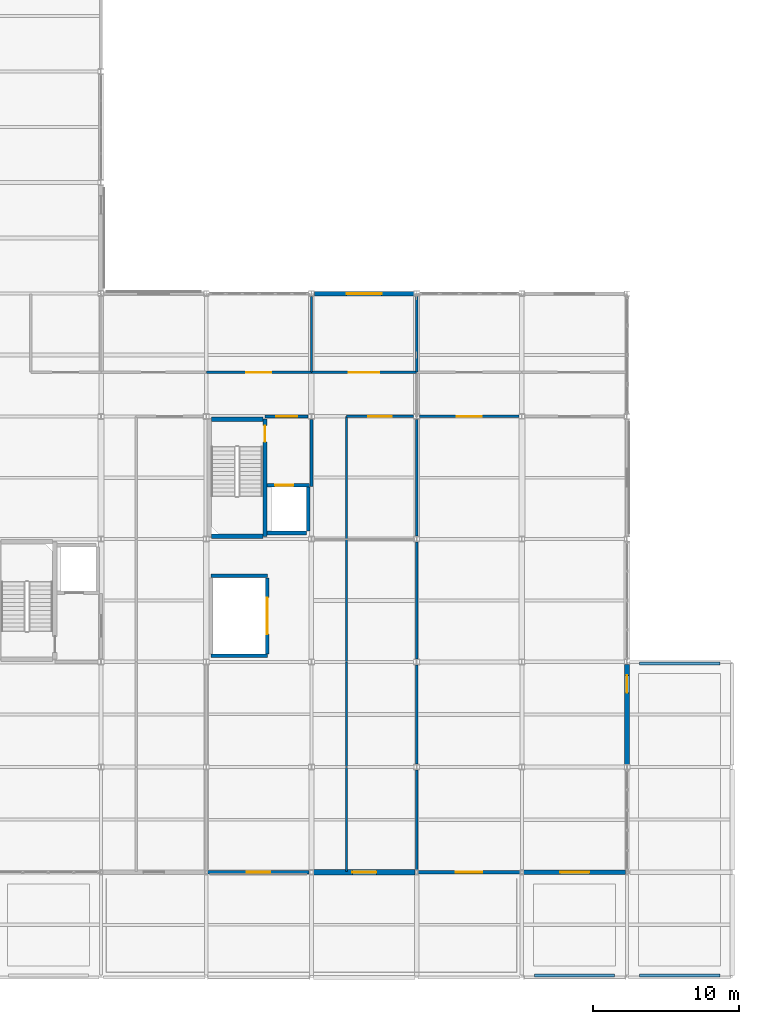
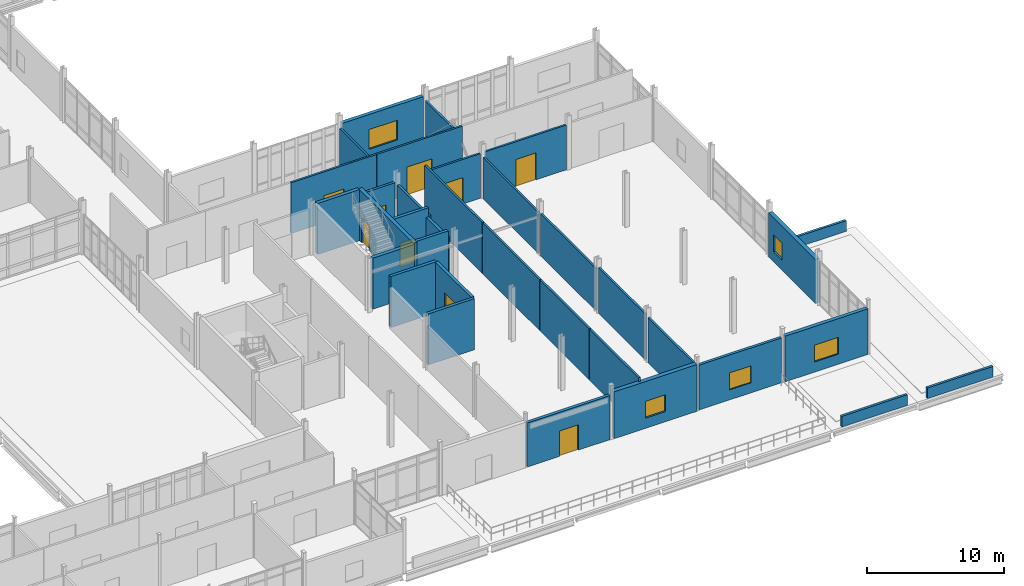
# One storey, part 167 of 186: 34 walls, 9 doors, 5 windows, 14 openings.
"""IFC4 building model written with IfcOpenShell, lengths in metres."""

from ifc_helpers import new_model, si_unit, direction, frame, frame_2d, origin, place, context, subcontext, project, spatial, rectangle, extrude, material, layer, layer_set, type_object, element, fill, save


model = new_model("IFC4")

# Units and contexts
model_context = context("Model", 3, precision=1e-05, world=origin(), true_north=direction((0.0, 1.0)))
body_context = subcontext(model_context, "Body", "Model", "MODEL_VIEW")
ifc_project = project(units=[si_unit("LENGTHUNIT", "METRE"), si_unit("AREAUNIT", "SQUARE_METRE"), si_unit("VOLUMEUNIT", "CUBIC_METRE"), si_unit("PLANEANGLEUNIT", "RADIAN"), si_unit("MASSUNIT", "GRAM", prefix="KILO")], contexts=[model_context])

# Site, building, storey
site_placement = place(None, origin())
site = spatial("IfcSite", under=ifc_project, at=site_placement, CompositionType="ELEMENT")
building_placement = place(site_placement, origin())
building = spatial("IfcBuilding", under=site, at=building_placement, Name="Calvrana Isthmian Art Gallery", CompositionType="ELEMENT")
storey_placement = place(building_placement, frame((0.0, 0.0, 5.39990234375)))
storey = spatial("IfcBuildingStorey", under=building, at=storey_placement, Name="L01", CompositionType="ELEMENT", Elevation=5.39990234375)

# Wall, opening, door
ifc_material_1 = material(Name="Concrete C40/50", Category="concrete")
ifc_layer_1 = layer(ifc_material_1, 0.300048828125, Name="Concrete C40/50")
ifc_layer_set_1 = layer_set([ifc_layer_1], Name="Concrete C40/50")
wall_type_1 = type_object("IfcWallType", Name="CW-SHAFT-300", PredefinedType="SHEAR", material=ifc_layer_set_1)
wall_1_placement = place(storey_placement, frame((131.219970703125, 30.18994140625, 0.0), z_axis=(0.0, 0.0, 1.0), x_axis=(0.0, 1.0, 0.0)))
wall_1 = element("IfcWall", 1, at=wall_1_placement, inside=storey, type_object=wall_type_1, Name="Core C4 shear wall E L01", PredefinedType="SHEAR", context=body_context, shape_type="SweptSolid", body=[
    extrude(rectangle(XDim=8.02001953125, YDim=0.300048828125, at=frame_2d((4.010009765625, 0.0))), origin(), (0.0, 0.0, 1.0), 4.5400390625),
])
opening_1_placement = place(wall_1_placement, frame((6.469970703125, 0.0, 0.0)))
opening_1 = element("IfcOpeningElement", 2, at=opening_1_placement, cuts=wall_1, Name="Opening D-146", PredefinedType="OPENING", context=body_context, shape_type="SweptSolid", body=[
    extrude(rectangle(XDim=1.10009765625, YDim=2.14990234375, at=frame_2d((0.550048828125, 1.074951171875))), frame((0.0, 0.16015625, 0.0), z_axis=(0.0, -1.0, 0.0), x_axis=(1.0, 0.0, 0.0)), (0.0, 0.0, 1.0), 0.320556640625),
])
ifc_material_2 = material(Name="Steel ASTM A572 Gr 50", Category="steel")
door_type_1 = type_object("IfcDoorType", Name="DR-FIRE-1100", OperationType="NOTDEFINED", PredefinedType="DOOR", material=ifc_material_2)
door_1_placement = place(opening_1_placement, origin())
door_1 = element("IfcDoor", 3, at=door_1_placement, inside=storey, type_object=door_type_1, Name="Stair ST-4 fire door L01", OperationType="SINGLE_SWING_RIGHT", OverallHeight=2.14990234375, OverallWidth=1.10009765625, PredefinedType="DOOR", context=body_context, shape_type="SweptSolid", body=[
    extrude(rectangle(XDim=1.10009765625, YDim=2.14990234375, at=frame_2d((0.550048828125, 1.074951171875))), frame((0.0, 0.02490234375, 0.0), z_axis=(0.0, -1.0, 0.0), x_axis=(1.0, 0.0, 0.0)), (0.0, 0.0, 1.0), 0.050048828125),
])
fill(opening_1, door_1)

# Walls
for number, where, z_axis, x_axis, name in (
    (4, (127.550048828125, 30.18994140625, 0.0), (0.0, 0.0, 1.0), (1.0, 0.0, 0.0), "Core C4 shear wall S L01"),
    (5, (127.550048828125, 38.2099609375, 0.0), (0.0, 0.0, 1.0), (1.0, 0.0, 0.0), "Core C4 shear wall N L01"),
):
    element("IfcWall", number, at=place(storey_placement, frame(where, z_axis=z_axis, x_axis=x_axis)), inside=storey, type_object=wall_type_1, Name=name, PredefinedType="SHEAR", context=body_context, shape_type="SweptSolid", body=[
        extrude(rectangle(XDim=3.52001953125, YDim=0.300048828125, at=frame_2d((1.760009765625, 0.0))), origin(), (0.0, 0.0, 1.0), 4.5400390625),
    ])

# Wall, opening, window
ifc_material_3 = material(Name="Precast concrete C40/50", Category="concrete")
ifc_layer_2 = layer(ifc_material_3, 0.219970703125, Name="Precast concrete C40/50")
ifc_layer_set_2 = layer_set([ifc_layer_2], Name="Precast concrete C40/50")
wall_type_2 = type_object("IfcWallType", Name="EW-ACOUST-220", PredefinedType="SOLIDWALL", material=ifc_layer_set_2)
wall_2_placement = place(storey_placement, frame((148.673095703125, 7.199951171875, 0.0), z_axis=(0.0, 0.0, 1.0), x_axis=(-1.0, 0.0, 0.0)))
wall_2 = element("IfcWall", 6, at=wall_2_placement, inside=storey, type_object=wall_type_2, Name="Exterior wall EW-062", PredefinedType="SOLIDWALL", context=body_context, shape_type="SweptSolid", body=[
    extrude(rectangle(XDim=6.971435546875, YDim=0.219970703125, at=frame_2d((3.48583984375, 0.0))), origin(), (0.0, 0.0, 1.0), 3.987060546875),
])
opening_2_placement = place(wall_2_placement, frame((2.585693359375, 0.0, 0.89990234375)))
opening_2 = element("IfcOpeningElement", 7, at=opening_2_placement, cuts=wall_2, Name="Opening W-028", PredefinedType="OPENING", context=body_context, shape_type="SweptSolid", body=[
    extrude(rectangle(XDim=1.800048828125, YDim=1.5, at=frame_2d((0.89990234375, 0.75))), frame((0.0, 0.1201171875, 0.0), z_axis=(0.0, -1.0, 0.0), x_axis=(1.0, 0.0, 0.0)), (0.0, 0.0, 1.0), 0.240478515625),
])
ifc_material_4 = material(Name="Low-E laminated solar glass", Category="glass")
window_type_1 = type_object("IfcWindowType", Name="WN-G05", PartitioningType="DOUBLE_PANEL_VERTICAL", PredefinedType="WINDOW", material=ifc_material_4)
window_1_placement = place(opening_2_placement, origin())
window_1 = element("IfcWindow", 8, at=window_1_placement, inside=storey, type_object=window_type_1, Name="Facade window W-028", OverallHeight=1.5, OverallWidth=1.800048828125, PartitioningType="SINGLE_PANEL", PredefinedType="WINDOW", context=body_context, shape_type="SweptSolid", body=[
    extrude(rectangle(XDim=1.800048828125, YDim=1.5, at=frame_2d((0.89990234375, 0.75))), frame((0.0, 0.030029296875, 0.0), z_axis=(0.0, -1.0, 0.0), x_axis=(1.0, 0.0, 0.0)), (0.0, 0.0, 1.0), 0.06005859375),
])
fill(opening_2, window_1)

ifc_material_5 = material(Name="Pale Isthmian limestone", Category="masonry")
ifc_layer_3 = layer(ifc_material_5, 0.300048828125, Name="Pale Isthmian limestone")
ifc_layer_set_3 = layer_set([ifc_layer_3], Name="Pale Isthmian limestone")
wall_type_3 = type_object("IfcWallType", Name="EW-LIME-300", PredefinedType="SOLIDWALL", material=ifc_layer_set_3)
wall_3_placement = place(storey_placement, frame((155.8984375, 7.199951171875, 0.0), z_axis=(0.0, 0.0, 1.0), x_axis=(-1.0, 0.0, 0.0)))
wall_3 = element("IfcWall", 9, at=wall_3_placement, inside=storey, type_object=wall_type_3, Name="Exterior wall EW-063", PredefinedType="SOLIDWALL", context=body_context, shape_type="SweptSolid", body=[
    extrude(rectangle(XDim=6.971435546875, YDim=0.300048828125, at=frame_2d((3.48583984375, 0.0))), origin(), (0.0, 0.0, 1.0), 4.05810546875),
])
opening_3_placement = place(wall_3_placement, frame((2.485595703125, 0.0, 0.89990234375)))
opening_3 = element("IfcOpeningElement", 10, at=opening_3_placement, cuts=wall_3, Name="Opening W-029", PredefinedType="OPENING", context=body_context, shape_type="SweptSolid", body=[
    extrude(rectangle(XDim=2.0, YDim=1.5, at=frame_2d((1.0, 0.75))), frame((0.0, 0.16015625, 0.0), z_axis=(0.0, -1.0, 0.0), x_axis=(1.0, 0.0, 0.0)), (0.0, 0.0, 1.0), 0.320556640625),
])
window_type_2 = type_object("IfcWindowType", Name="WN-G06", PartitioningType="DOUBLE_PANEL_VERTICAL", PredefinedType="WINDOW", material=ifc_material_4)
window_2_placement = place(opening_3_placement, origin())
window_2 = element("IfcWindow", 11, at=window_2_placement, inside=storey, type_object=window_type_2, Name="Facade window W-029", OverallHeight=1.5, OverallWidth=2.0, PartitioningType="SINGLE_PANEL", PredefinedType="WINDOW", context=body_context, shape_type="SweptSolid", body=[
    extrude(rectangle(XDim=2.0, YDim=1.5, at=frame_2d((1.0, 0.75))), frame((0.0, 0.030029296875, 0.0), z_axis=(0.0, -1.0, 0.0), x_axis=(1.0, 0.0, 0.0)), (0.0, 0.0, 1.0), 0.06005859375),
])
fill(opening_3, window_2)

wall_4_placement = place(storey_placement, frame((134.599609375, 46.800048828125, 0.0), z_axis=(0.0, 0.0, 1.0), x_axis=(1.0, 0.0, 0.0)))
wall_4 = element("IfcWall", 12, at=wall_4_placement, inside=storey, type_object=wall_type_3, Name="Exterior wall EW-071", PredefinedType="SOLIDWALL", context=body_context, shape_type="SweptSolid", body=[
    extrude(rectangle(XDim=6.802490234375, YDim=0.300048828125, at=frame_2d((3.4013671875, 0.0))), origin(), (0.0, 0.0, 1.0), 3.987060546875),
])
opening_4_placement = place(wall_4_placement, frame((2.201171875, 0.0, 0.89990234375)))
opening_4 = element("IfcOpeningElement", 13, at=opening_4_placement, cuts=wall_4, Name="Opening W-036", PredefinedType="OPENING", context=body_context, shape_type="SweptSolid", body=[
    extrude(rectangle(XDim=2.39990234375, YDim=1.75, at=frame_2d((1.199951171875, 0.875))), frame((0.0, 0.16015625, 0.0), z_axis=(0.0, -1.0, 0.0), x_axis=(1.0, 0.0, 0.0)), (0.0, 0.0, 1.0), 0.320556640625),
])
window_type_3 = type_object("IfcWindowType", Name="WN-G13", PartitioningType="DOUBLE_PANEL_VERTICAL", PredefinedType="WINDOW", material=ifc_material_4)
window_3_placement = place(opening_4_placement, origin())
window_3 = element("IfcWindow", 14, at=window_3_placement, inside=storey, type_object=window_type_3, Name="Facade window W-036", OverallHeight=1.75, OverallWidth=2.39990234375, PartitioningType="SINGLE_PANEL", PredefinedType="WINDOW", context=body_context, shape_type="SweptSolid", body=[
    extrude(rectangle(XDim=2.39990234375, YDim=1.75, at=frame_2d((1.199951171875, 0.875))), frame((0.0, 0.030029296875, 0.0), z_axis=(0.0, -1.0, 0.0), x_axis=(1.0, 0.0, 0.0)), (0.0, 0.0, 1.0), 0.06005859375),
])
fill(opening_4, window_3)

ifc_layer_4 = layer(ifc_material_3, 0.35009765625, Name="Precast concrete C40/50")
ifc_layer_set_4 = layer_set([ifc_layer_4], Name="Precast concrete C40/50")
wall_type_4 = type_object("IfcWallType", Name="EW-PREC-350", PredefinedType="SOLIDWALL", material=ifc_layer_set_4)
wall_5_placement = place(storey_placement, frame((141.498291015625, 7.199951171875, 0.0), z_axis=(0.0, 0.0, 1.0), x_axis=(-1.0, 0.0, 0.0)))
wall_5 = element("IfcWall", 15, at=wall_5_placement, inside=storey, type_object=wall_type_4, Name="Exterior wall EW-061", PredefinedType="SOLIDWALL", context=body_context, shape_type="SweptSolid", body=[
    extrude(rectangle(XDim=6.94580078125, YDim=0.35009765625, at=frame_2d((3.472900390625, 0.0))), origin(), (0.0, 0.0, 1.0), 4.1640625),
])
opening_5_placement = place(wall_5_placement, frame((2.64794921875, 0.0, 0.89990234375)))
opening_5 = element("IfcOpeningElement", 16, at=opening_5_placement, cuts=wall_5, Name="Opening W-027", PredefinedType="OPENING", context=body_context, shape_type="SweptSolid", body=[
    extrude(rectangle(XDim=1.64990234375, YDim=1.5, at=frame_2d((0.824951171875, 0.75))), frame((0.0, 0.185302734375, 0.0), z_axis=(0.0, -1.0, 0.0), x_axis=(1.0, 0.0, 0.0)), (0.0, 0.0, 1.0), 0.37060546875),
])
window_type_4 = type_object("IfcWindowType", Name="WN-G04", PartitioningType="SINGLE_PANEL", PredefinedType="WINDOW", material=ifc_material_4)
window_4_placement = place(opening_5_placement, origin())
window_4 = element("IfcWindow", 17, at=window_4_placement, inside=storey, type_object=window_type_4, Name="Facade window W-027", OverallHeight=1.5, OverallWidth=1.64990234375, PartitioningType="SINGLE_PANEL", PredefinedType="WINDOW", context=body_context, shape_type="SweptSolid", body=[
    extrude(rectangle(XDim=1.64990234375, YDim=1.5, at=frame_2d((0.824951171875, 0.75))), frame((0.0, 0.030029296875, 0.0), z_axis=(0.0, -1.0, 0.0), x_axis=(1.0, 0.0, 0.0)), (0.0, 0.0, 1.0), 0.06005859375),
])
fill(opening_5, window_4)

wall_6_placement = place(storey_placement, frame((156.0, 21.41845703125, 0.0), z_axis=(0.0, 0.0, 1.0), x_axis=(0.0, -1.0, 0.0)))
wall_6 = element("IfcWall", 18, at=wall_6_placement, inside=storey, type_object=wall_type_4, Name="Exterior wall EW-109", PredefinedType="SOLIDWALL", context=body_context, shape_type="SweptSolid", body=[
    extrude(rectangle(XDim=6.840576171875, YDim=0.35009765625, at=frame_2d((3.42041015625, 0.0))), origin(), (0.0, 0.0, 1.0), 3.9130859375),
])
opening_6_placement = place(wall_6_placement, frame((0.75, 0.0, 0.89990234375)))
opening_6 = element("IfcOpeningElement", 19, at=opening_6_placement, cuts=wall_6, Name="Opening W-071", PredefinedType="OPENING", context=body_context, shape_type="SweptSolid", body=[
    extrude(rectangle(XDim=1.199951171875, YDim=1.5, at=frame_2d((0.60009765625, 0.75))), frame((0.0, 0.185302734375, 0.0), z_axis=(0.0, -1.0, 0.0), x_axis=(1.0, 0.0, 0.0)), (0.0, 0.0, 1.0), 0.37060546875),
])
window_type_5 = type_object("IfcWindowType", Name="WN-G01", PartitioningType="SINGLE_PANEL", PredefinedType="WINDOW", material=ifc_material_4)
window_5_placement = place(opening_6_placement, origin())
window_5 = element("IfcWindow", 20, at=window_5_placement, inside=storey, type_object=window_type_5, Name="Facade window W-071", OverallHeight=1.5, OverallWidth=1.199951171875, PartitioningType="SINGLE_PANEL", PredefinedType="WINDOW", context=body_context, shape_type="SweptSolid", body=[
    extrude(rectangle(XDim=1.199951171875, YDim=1.5, at=frame_2d((0.60009765625, 0.75))), frame((0.0, 0.030029296875, 0.0), z_axis=(0.0, -1.0, 0.0), x_axis=(1.0, 0.0, 0.0)), (0.0, 0.0, 1.0), 0.06005859375),
])
fill(opening_6, window_5)

# Wall, opening, door
ifc_material_6 = material(Name="Polychrome glazed terracotta", Category="masonry")
ifc_layer_5 = layer(ifc_material_6, 0.25, Name="Polychrome glazed terracotta")
ifc_layer_set_5 = layer_set([ifc_layer_5], Name="Polychrome glazed terracotta")
wall_type_5 = type_object("IfcWallType", Name="EW-TERRA-250", PredefinedType="SOLIDWALL", material=ifc_layer_set_5)
wall_7_placement = place(storey_placement, frame((134.24755859375, 7.199951171875, 0.0), z_axis=(0.0, 0.0, 1.0), x_axis=(-1.0, 0.0, 0.0)))
wall_7 = element("IfcWall", 21, at=wall_7_placement, inside=storey, type_object=wall_type_5, Name="Exterior wall EW-060", PredefinedType="SOLIDWALL", context=body_context, shape_type="SweptSolid", body=[
    extrude(rectangle(XDim=6.946044921875, YDim=0.25, at=frame_2d((3.47314453125, 0.0))), origin(), (0.0, 0.0, 1.0), 3.9130859375),
])
opening_7_placement = place(wall_7_placement, frame((2.673095703125, 0.0, 0.0)))
opening_7 = element("IfcOpeningElement", 22, at=opening_7_placement, cuts=wall_7, Name="Opening D-T20", PredefinedType="OPENING", context=body_context, shape_type="SweptSolid", body=[
    extrude(rectangle(XDim=1.60009765625, YDim=2.25, at=frame_2d((0.800048828125, 1.125))), frame((0.0, 0.13525390625, 0.0), z_axis=(0.0, -1.0, 0.0), x_axis=(1.0, 0.0, 0.0)), (0.0, 0.0, 1.0), 0.2705078125),
])
ifc_material_7 = material(Name="Anodized bronze aluminium 6063-T6", Category="aluminium")
door_type_2 = type_object("IfcDoorType", Name="DR-EXT-TER-1600", OperationType="DOUBLE_DOOR_SINGLE_SWING", PredefinedType="DOOR", material=ifc_material_7)
door_2_placement = place(opening_7_placement, origin())
door_2 = element("IfcDoor", 23, at=door_2_placement, inside=storey, type_object=door_type_2, Name="Sculpture terrace access door D-T20", OperationType="DOUBLE_DOOR_SINGLE_SWING", OverallHeight=2.25, OverallWidth=1.60009765625, PredefinedType="DOOR", context=body_context, shape_type="SweptSolid", body=[
    extrude(rectangle(XDim=1.60009765625, YDim=2.25, at=frame_2d((0.800048828125, 1.125))), frame((0.0, 0.02490234375, 0.0), z_axis=(0.0, -1.0, 0.0), x_axis=(1.0, 0.0, 0.0)), (0.0, 0.0, 1.0), 0.050048828125),
])
fill(opening_7, door_2)

# Wall
ifc_material_8 = material(Name="Acoustic gypsum ceiling", Category="gypsum")
ifc_layer_6 = layer(ifc_material_8, 0.199951171875, Name="Acoustic gypsum ceiling")
ifc_layer_set_6 = layer_set([ifc_layer_6], Name="Acoustic gypsum ceiling")
wall_type_6 = type_object("IfcWallType", Name="PW-FIRE-200", PredefinedType="PARTITIONING", material=ifc_layer_set_6)
wall_8_placement = place(storey_placement, frame((134.39990234375, 33.60009765625, 0.0), z_axis=(0.0, 0.0, 1.0), x_axis=(0.0, 1.0, 0.0)))
element("IfcWall", 24, at=wall_8_placement, inside=storey, type_object=wall_type_6, Name="Core C4 lobby east closure L01", PredefinedType="PARTITIONING", context=body_context, shape_type="SweptSolid", body=[
    extrude(rectangle(XDim=4.579833984375, YDim=0.199951171875, at=frame_2d((2.2900390625, 0.0))), origin(), (0.0, 0.0, 1.0), 3.748046875),
])

# Wall, opening, door
wall_9_placement = place(storey_placement, frame((131.22998046875, 38.39990234375, 0.0), z_axis=(0.0, 0.0, 1.0), x_axis=(1.0, 0.0, 0.0)))
wall_9 = element("IfcWall", 25, at=wall_9_placement, inside=storey, type_object=wall_type_6, Name="Core C4 lobby enclosure L01", PredefinedType="PARTITIONING", context=body_context, shape_type="SweptSolid", body=[
    extrude(rectangle(XDim=2.949951171875, YDim=0.199951171875, at=frame_2d((1.47509765625, 0.0))), origin(), (0.0, 0.0, 1.0), 3.9130859375),
])
opening_8_placement = place(wall_9_placement, frame((0.75, 0.0, 0.0)))
opening_8 = element("IfcOpeningElement", 26, at=opening_8_placement, cuts=wall_9, Name="Opening D-147", PredefinedType="OPENING", context=body_context, shape_type="SweptSolid", body=[
    extrude(rectangle(XDim=1.449951171875, YDim=2.199951171875, at=frame_2d((0.72509765625, 1.10009765625))), frame((0.0, 0.1103515625, 0.0), z_axis=(0.0, -1.0, 0.0), x_axis=(1.0, 0.0, 0.0)), (0.0, 0.0, 1.0), 0.220458984375),
])
door_type_3 = type_object("IfcDoorType", Name="DR-LOBBY-1450", OperationType="DOUBLE_DOOR_SINGLE_SWING", PredefinedType="DOOR", material=ifc_material_2)
door_3_placement = place(opening_8_placement, origin())
door_3 = element("IfcDoor", 27, at=door_3_placement, inside=storey, type_object=door_type_3, Name="Core C4 lobby fire door L01", OperationType="DOUBLE_DOOR_SINGLE_SWING", OverallHeight=2.199951171875, OverallWidth=1.449951171875, PredefinedType="DOOR", context=body_context, shape_type="SweptSolid", body=[
    extrude(rectangle(XDim=1.449951171875, YDim=2.199951171875, at=frame_2d((0.72509765625, 1.10009765625))), frame((0.0, 0.02490234375, 0.0), z_axis=(0.0, -1.0, 0.0), x_axis=(1.0, 0.0, 0.0)), (0.0, 0.0, 1.0), 0.050048828125),
])
fill(opening_8, door_3)

# Walls
ifc_layer_7 = layer(ifc_material_8, 0.159912109375, Name="Acoustic gypsum ceiling")
ifc_layer_set_7 = layer_set([ifc_layer_7], Name="Acoustic gypsum ceiling")
wall_type_7 = type_object("IfcWallType", Name="PW-GAL-160", PredefinedType="PARTITIONING", material=ifc_layer_set_7)
wall_10_placement = place(storey_placement, frame((136.800048828125, 7.239990234375, 0.0), z_axis=(0.0, 0.0, 1.0), x_axis=(0.0, 1.0, 0.0)))
element("IfcWall", 28, at=wall_10_placement, inside=storey, type_object=wall_type_7, Name="Interior partition PW-386", PredefinedType="PARTITIONING", context=body_context, shape_type="SweptSolid", body=[
    extrude(rectangle(XDim=7.139892578125, YDim=0.159912109375, at=frame_2d((3.56982421875, 0.0))), origin(), (0.0, 0.0, 1.0), 4.52001953125),
])
wall_11_placement = place(storey_placement, frame((136.800048828125, 14.419921875, 0.0), z_axis=(0.0, 0.0, 1.0), x_axis=(0.0, 1.0, 0.0)))
element("IfcWall", 29, at=wall_11_placement, inside=storey, type_object=wall_type_7, Name="Interior partition PW-387", PredefinedType="PARTITIONING", context=body_context, shape_type="SweptSolid", body=[
    extrude(rectangle(XDim=7.16015625, YDim=0.159912109375, at=frame_2d((3.580078125, 0.0))), origin(), (0.0, 0.0, 1.0), 4.52001953125),
])
for number, where, z_axis, x_axis, name in (
    (30, (136.800048828125, 21.6201171875, 0.0), (0.0, 0.0, 1.0), (0.0, 1.0, 0.0), "Interior partition PW-388"),
    (31, (136.800048828125, 30.02001953125, 0.0), (0.0, 0.0, 1.0), (0.0, 1.0, 0.0), "Interior partition PW-389"),
):
    element("IfcWall", number, at=place(storey_placement, frame(where, z_axis=z_axis, x_axis=x_axis)), inside=storey, type_object=wall_type_7, Name=name, PredefinedType="PARTITIONING", context=body_context, shape_type="SweptSolid", body=[
        extrude(rectangle(XDim=8.35986328125, YDim=0.159912109375, at=frame_2d((4.179931640625, 0.0))), origin(), (0.0, 0.0, 1.0), 4.52001953125),
    ])

# Wall, opening, door
wall_12_placement = place(storey_placement, frame((136.800048828125, 38.39990234375, 0.0), z_axis=(0.0, 0.0, 1.0), x_axis=(1.0, 0.0, 0.0)))
wall_12 = element("IfcWall", 32, at=wall_12_placement, inside=storey, type_object=wall_type_7, Name="Interior partition PW-390", PredefinedType="PARTITIONING", context=body_context, shape_type="SweptSolid", body=[
    extrude(rectangle(XDim=4.587890625, YDim=0.159912109375, at=frame_2d((2.2939453125, 0.0))), origin(), (0.0, 0.0, 1.0), 3.97119140625),
])
opening_9_placement = place(wall_12_placement, frame((1.493896484375, 0.0, 0.0)))
opening_9 = element("IfcOpeningElement", 33, at=opening_9_placement, cuts=wall_12, Name="Opening D-396", PredefinedType="OPENING", context=body_context, shape_type="SweptSolid", body=[
    extrude(rectangle(XDim=1.60009765625, YDim=2.35009765625, at=frame_2d((0.800048828125, 1.175048828125))), frame((0.0, 0.09033203125, 0.0), z_axis=(0.0, -1.0, 0.0), x_axis=(1.0, 0.0, 0.0)), (0.0, 0.0, 1.0), 0.180419921875),
])
ifc_material_9 = material(Name="Timber gallery flooring", Category="wood")
door_type_4 = type_object("IfcDoorType", Name="DR-GAL-1600", OperationType="DOUBLE_DOOR_SINGLE_SWING", PredefinedType="DOOR", material=ifc_material_9)
door_4_placement = place(opening_9_placement, origin())
door_4 = element("IfcDoor", 34, at=door_4_placement, inside=storey, type_object=door_type_4, Name="Interior door D-396", OperationType="DOUBLE_DOOR_SINGLE_SWING", OverallHeight=2.35009765625, OverallWidth=1.60009765625, PredefinedType="DOOR", context=body_context, shape_type="SweptSolid", body=[
    extrude(rectangle(XDim=1.60009765625, YDim=2.35009765625, at=frame_2d((0.800048828125, 1.175048828125))), frame((0.0, 0.02490234375, 0.0), z_axis=(0.0, -1.0, 0.0), x_axis=(1.0, 0.0, 0.0)), (0.0, 0.0, 1.0), 0.050048828125),
])
fill(opening_9, door_4)

# Walls
wall_13_placement = place(storey_placement, frame((141.60009765625, 7.367431640625, 0.0), z_axis=(0.0, 0.0, 1.0), x_axis=(0.0, 1.0, 0.0)))
element("IfcWall", 35, at=wall_13_placement, inside=storey, type_object=wall_type_7, Name="Interior partition PW-391", PredefinedType="PARTITIONING", context=body_context, shape_type="SweptSolid", body=[
    extrude(rectangle(XDim=6.83349609375, YDim=0.159912109375, at=frame_2d((3.416748046875, 0.0))), origin(), (0.0, 0.0, 1.0), 3.987060546875),
])
wall_14_placement = place(storey_placement, frame((141.60009765625, 14.59912109375, 0.0), z_axis=(0.0, 0.0, 1.0), x_axis=(0.0, 1.0, 0.0)))
element("IfcWall", 36, at=wall_14_placement, inside=storey, type_object=wall_type_7, Name="Interior partition PW-392", PredefinedType="PARTITIONING", context=body_context, shape_type="SweptSolid", body=[
    extrude(rectangle(XDim=6.79296875, YDim=0.159912109375, at=frame_2d((3.396484375, 0.0))), origin(), (0.0, 0.0, 1.0), 4.05810546875),
])
wall_15_placement = place(storey_placement, frame((141.60009765625, 21.80810546875, 0.0), z_axis=(0.0, 0.0, 1.0), x_axis=(0.0, 1.0, 0.0)))
element("IfcWall", 37, at=wall_15_placement, inside=storey, type_object=wall_type_7, Name="Interior partition PW-393", PredefinedType="PARTITIONING", context=body_context, shape_type="SweptSolid", body=[
    extrude(rectangle(XDim=7.990478515625, YDim=0.159912109375, at=frame_2d((3.9951171875, 0.0))), origin(), (0.0, 0.0, 1.0), 3.748046875),
])
wall_16_placement = place(storey_placement, frame((141.60009765625, 30.201416015625, 0.0), z_axis=(0.0, 0.0, 1.0), x_axis=(0.0, 1.0, 0.0)))
element("IfcWall", 38, at=wall_16_placement, inside=storey, type_object=wall_type_7, Name="Interior partition PW-394", PredefinedType="PARTITIONING", context=body_context, shape_type="SweptSolid", body=[
    extrude(rectangle(XDim=7.99560546875, YDim=0.159912109375, at=frame_2d((3.997802734375, 0.0))), origin(), (0.0, 0.0, 1.0), 3.6640625),
])

# Wall, opening, door
wall_17_placement = place(storey_placement, frame((141.81201171875, 38.39990234375, 0.0), z_axis=(0.0, 0.0, 1.0), x_axis=(1.0, 0.0, 0.0)))
wall_17 = element("IfcWall", 39, at=wall_17_placement, inside=storey, type_object=wall_type_7, Name="Interior partition PW-395", PredefinedType="PARTITIONING", context=body_context, shape_type="SweptSolid", body=[
    extrude(rectangle(XDim=6.7890625, YDim=0.159912109375, at=frame_2d((3.39453125, 0.0))), origin(), (0.0, 0.0, 1.0), 3.987060546875),
])
opening_10_placement = place(wall_17_placement, frame((2.54443359375, 0.0, 0.0)))
opening_10 = element("IfcOpeningElement", 40, at=opening_10_placement, cuts=wall_17, Name="Opening D-397", PredefinedType="OPENING", context=body_context, shape_type="SweptSolid", body=[
    extrude(rectangle(XDim=1.699951171875, YDim=2.39990234375, at=frame_2d((0.85009765625, 1.199951171875))), frame((0.0, 0.09033203125, 0.0), z_axis=(0.0, -1.0, 0.0), x_axis=(1.0, 0.0, 0.0)), (0.0, 0.0, 1.0), 0.180419921875),
])
door_type_5 = type_object("IfcDoorType", Name="DR-GAL-1700", OperationType="DOUBLE_DOOR_SINGLE_SWING", PredefinedType="DOOR", material=ifc_material_9)
door_5_placement = place(opening_10_placement, origin())
door_5 = element("IfcDoor", 41, at=door_5_placement, inside=storey, type_object=door_type_5, Name="Interior door D-397", OperationType="DOUBLE_DOOR_SINGLE_SWING", OverallHeight=2.39990234375, OverallWidth=1.699951171875, PredefinedType="DOOR", context=body_context, shape_type="SweptSolid", body=[
    extrude(rectangle(XDim=1.699951171875, YDim=2.39990234375, at=frame_2d((0.85009765625, 1.199951171875))), frame((0.0, 0.02490234375, 0.0), z_axis=(0.0, -1.0, 0.0), x_axis=(1.0, 0.0, 0.0)), (0.0, 0.0, 1.0), 0.050048828125),
])
fill(opening_10, door_5)

wall_18_placement = place(storey_placement, frame((127.2099609375, 41.409912109375, 0.0), z_axis=(0.0, 0.0, 1.0), x_axis=(1.0, 0.0, 0.0)))
wall_18 = element("IfcWall", 42, at=wall_18_placement, inside=storey, type_object=wall_type_7, Name="Interior partition PW-401", PredefinedType="PARTITIONING", context=body_context, shape_type="SweptSolid", body=[
    extrude(rectangle(XDim=7.179931640625, YDim=0.159912109375, at=frame_2d((3.58984375, 0.0))), origin(), (0.0, 0.0, 1.0), 4.52001953125),
])
opening_11_placement = place(wall_18_placement, frame((2.739990234375, 0.0, 0.0)))
opening_11 = element("IfcOpeningElement", 43, at=opening_11_placement, cuts=wall_18, Name="Opening D-401", PredefinedType="OPENING", context=body_context, shape_type="SweptSolid", body=[
    extrude(rectangle(XDim=1.699951171875, YDim=2.39990234375, at=frame_2d((0.85009765625, 1.199951171875))), frame((0.0, 0.09033203125, 0.0), z_axis=(0.0, -1.0, 0.0), x_axis=(1.0, 0.0, 0.0)), (0.0, 0.0, 1.0), 0.180419921875),
])
door_6_placement = place(opening_11_placement, origin())
door_6 = element("IfcDoor", 44, at=door_6_placement, inside=storey, type_object=door_type_5, Name="Interior door D-401", OperationType="DOUBLE_DOOR_SINGLE_SWING", OverallHeight=2.39990234375, OverallWidth=1.699951171875, PredefinedType="DOOR", context=body_context, shape_type="SweptSolid", body=[
    extrude(rectangle(XDim=1.699951171875, YDim=2.39990234375, at=frame_2d((0.85009765625, 1.199951171875))), frame((0.0, 0.02490234375, 0.0), z_axis=(0.0, -1.0, 0.0), x_axis=(1.0, 0.0, 0.0)), (0.0, 0.0, 1.0), 0.050048828125),
])
fill(opening_11, door_6)

# Wall
wall_19_placement = place(storey_placement, frame((134.39990234375, 41.419921875, 0.0), z_axis=(0.0, 0.0, 1.0), x_axis=(0.0, 1.0, 0.0)))
element("IfcWall", 45, at=wall_19_placement, inside=storey, type_object=wall_type_7, Name="Interior partition PW-402", PredefinedType="PARTITIONING", context=body_context, shape_type="SweptSolid", body=[
    extrude(rectangle(XDim=5.172119140625, YDim=0.159912109375, at=frame_2d((2.5859375, 0.0))), origin(), (0.0, 0.0, 1.0), 3.6640625),
])

# Wall, opening, door
wall_20_placement = place(storey_placement, frame((134.409912109375, 41.409912109375, 0.0), z_axis=(0.0, 0.0, 1.0), x_axis=(1.0, 0.0, 0.0)))
wall_20 = element("IfcWall", 46, at=wall_20_placement, inside=storey, type_object=wall_type_7, Name="Interior partition PW-403", PredefinedType="PARTITIONING", context=body_context, shape_type="SweptSolid", body=[
    extrude(rectangle(XDim=7.18017578125, YDim=0.159912109375, at=frame_2d((3.590087890625, 0.0))), origin(), (0.0, 0.0, 1.0), 4.52001953125),
])
opening_12_placement = place(wall_20_placement, frame((2.5400390625, 0.0, 0.0)))
opening_12 = element("IfcOpeningElement", 47, at=opening_12_placement, cuts=wall_20, Name="Opening D-402", PredefinedType="OPENING", context=body_context, shape_type="SweptSolid", body=[
    extrude(rectangle(XDim=2.10009765625, YDim=2.5, at=frame_2d((1.050048828125, 1.25))), frame((0.0, 0.09033203125, 0.0), z_axis=(0.0, -1.0, 0.0), x_axis=(1.0, 0.0, 0.0)), (0.0, 0.0, 1.0), 0.180419921875),
])
door_type_6 = type_object("IfcDoorType", Name="DR-GAL-2100", OperationType="DOUBLE_DOOR_SINGLE_SWING", PredefinedType="DOOR", material=ifc_material_9)
door_7_placement = place(opening_12_placement, origin())
door_7 = element("IfcDoor", 48, at=door_7_placement, inside=storey, type_object=door_type_6, Name="Interior door D-402", OperationType="DOUBLE_DOOR_SINGLE_SWING", OverallHeight=2.5, OverallWidth=2.10009765625, PredefinedType="DOOR", context=body_context, shape_type="SweptSolid", body=[
    extrude(rectangle(XDim=2.10009765625, YDim=2.5, at=frame_2d((1.050048828125, 1.25))), frame((0.0, 0.02490234375, 0.0), z_axis=(0.0, -1.0, 0.0), x_axis=(1.0, 0.0, 0.0)), (0.0, 0.0, 1.0), 0.050048828125),
])
fill(opening_12, door_7)

# Walls
wall_21_placement = place(storey_placement, frame((141.60009765625, 41.419921875, 0.0), z_axis=(0.0, 0.0, 1.0), x_axis=(0.0, 1.0, 0.0)))
element("IfcWall", 49, at=wall_21_placement, inside=storey, type_object=wall_type_7, Name="Interior partition PW-404", PredefinedType="PARTITIONING", context=body_context, shape_type="SweptSolid", body=[
    extrude(rectangle(XDim=5.174560546875, YDim=0.159912109375, at=frame_2d((2.58740234375, 0.0))), origin(), (0.0, 0.0, 1.0), 3.593017578125),
])
ifc_material_10 = material(Name="Concrete C35/45", Category="concrete")
ifc_layer_8 = layer(ifc_material_10, 0.25, Name="Concrete C35/45")
ifc_layer_set_8 = layer_set([ifc_layer_8], Name="Concrete C35/45")
wall_type_8 = type_object("IfcWallType", Name="PW-SHAFT-250", PredefinedType="PARTITIONING", material=ifc_layer_set_8)
wall_22_placement = place(storey_placement, frame((131.3701171875, 30.419921875, 0.0), z_axis=(0.0, 0.0, 1.0), x_axis=(1.0, 0.0, 0.0)))
element("IfcWall", 50, at=wall_22_placement, inside=storey, type_object=wall_type_8, Name="Lift EL-04 shaft wall S L01", PredefinedType="PARTITIONING", context=body_context, shape_type="SweptSolid", body=[
    extrude(rectangle(XDim=2.679931640625, YDim=0.25, at=frame_2d((1.33984375, 0.0))), origin(), (0.0, 0.0, 1.0), 4.5400390625),
])
wall_23_placement = place(storey_placement, frame((134.179931640625, 30.550048828125, 0.0), z_axis=(0.0, 0.0, 1.0), x_axis=(0.0, 1.0, 0.0)))
element("IfcWall", 51, at=wall_23_placement, inside=storey, type_object=wall_type_8, Name="Lift EL-04 shaft wall E L01", PredefinedType="PARTITIONING", context=body_context, shape_type="SweptSolid", body=[
    extrude(rectangle(XDim=3.0, YDim=0.25, at=frame_2d((1.5, 0.0))), origin(), (0.0, 0.0, 1.0), 3.748046875),
])

# Wall, opening, door
wall_24_placement = place(storey_placement, frame((131.3701171875, 33.679931640625, 0.0), z_axis=(0.0, 0.0, 1.0), x_axis=(1.0, 0.0, 0.0)))
wall_24 = element("IfcWall", 52, at=wall_24_placement, inside=storey, type_object=wall_type_8, Name="Lift EL-04 shaft wall N L01", PredefinedType="PARTITIONING", context=body_context, shape_type="SweptSolid", body=[
    extrude(rectangle(XDim=2.909912109375, YDim=0.25, at=frame_2d((1.455078125, 0.0))), origin(), (0.0, 0.0, 1.0), 4.5400390625),
])
opening_13_placement = place(wall_24_placement, frame((0.550048828125, 0.0, 0.0)))
opening_13 = element("IfcOpeningElement", 53, at=opening_13_placement, cuts=wall_24, Name="Opening LD-04-L01", PredefinedType="OPENING", context=body_context, shape_type="SweptSolid", body=[
    extrude(rectangle(XDim=1.25, YDim=2.14990234375, at=frame_2d((0.625, 1.074951171875))), frame((0.0, 0.13525390625, 0.0), z_axis=(0.0, -1.0, 0.0), x_axis=(1.0, 0.0, 0.0)), (0.0, 0.0, 1.0), 0.2705078125),
])
ifc_material_11 = material(Name="Stainless steel 316", Category="steel")
door_type_7 = type_object("IfcDoorType", Name="DR-LIFT-1250", OperationType="DOUBLE_DOOR_SLIDING", PredefinedType="DOOR", material=ifc_material_11)
door_8_placement = place(opening_13_placement, origin())
door_8 = element("IfcDoor", 54, at=door_8_placement, inside=storey, type_object=door_type_7, Name="Lift EL-04 sliding landing door L01", OperationType="DOUBLE_DOOR_SLIDING", OverallHeight=2.14990234375, OverallWidth=1.25, PredefinedType="DOOR", context=body_context, shape_type="SweptSolid", body=[
    extrude(rectangle(XDim=1.25, YDim=2.14990234375, at=frame_2d((0.625, 1.074951171875))), frame((0.0, 0.02490234375, 0.0), z_axis=(0.0, -1.0, 0.0), x_axis=(1.0, 0.0, 0.0)), (0.0, 0.0, 1.0), 0.050048828125),
])
fill(opening_13, door_8)

# Walls
for number, where, z_axis, x_axis, name in (
    (55, (127.52001953125, 27.47998046875, 0.0), (0.0, 0.0, 1.0), (1.0, 0.0, 0.0), "Art goods lift L-G1 shaft N L01"),
    (56, (127.52001953125, 22.02001953125, 0.0), (0.0, 0.0, 1.0), (1.0, 0.0, 0.0), "Art goods lift L-G1 shaft S L01"),
):
    element("IfcWall", number, at=place(storey_placement, frame(where, z_axis=z_axis, x_axis=x_axis)), inside=storey, type_object=wall_type_8, Name=name, PredefinedType="PARTITIONING", context=body_context, shape_type="SweptSolid", body=[
        extrude(rectangle(XDim=3.85986328125, YDim=0.25, at=frame_2d((1.929931640625, 0.0))), origin(), (0.0, 0.0, 1.0), 4.5400390625),
    ])

# Wall, opening, door
wall_25_placement = place(storey_placement, frame((131.3798828125, 22.14990234375, 0.0), z_axis=(0.0, 0.0, 1.0), x_axis=(0.0, 1.0, 0.0)))
wall_25 = element("IfcWall", 57, at=wall_25_placement, inside=storey, type_object=wall_type_8, Name="Art goods lift L-G1 shaft E L01", PredefinedType="PARTITIONING", context=body_context, shape_type="SweptSolid", body=[
    extrude(rectangle(XDim=5.2001953125, YDim=0.25, at=frame_2d((2.60009765625, 0.0))), origin(), (0.0, 0.0, 1.0), 4.5400390625),
])
opening_14_placement = place(wall_25_placement, frame((1.35009765625, 0.0, 0.0)))
opening_14 = element("IfcOpeningElement", 58, at=opening_14_placement, cuts=wall_25, Name="Opening LD-G1-L01", PredefinedType="OPENING", context=body_context, shape_type="SweptSolid", body=[
    extrude(rectangle(XDim=2.5, YDim=2.60009765625, at=frame_2d((1.25, 1.300048828125))), frame((0.0, 0.13525390625, 0.0), z_axis=(0.0, -1.0, 0.0), x_axis=(1.0, 0.0, 0.0)), (0.0, 0.0, 1.0), 0.2705078125),
])
door_type_8 = type_object("IfcDoorType", Name="DR-GLIFT-2500", OperationType="DOUBLE_DOOR_SLIDING", PredefinedType="DOOR", material=ifc_material_11)
door_9_placement = place(opening_14_placement, origin())
door_9 = element("IfcDoor", 59, at=door_9_placement, inside=storey, type_object=door_type_8, Name="Art Goods Lift L-G1 sliding door L01", OperationType="DOUBLE_DOOR_SLIDING", OverallHeight=2.60009765625, OverallWidth=2.5, PredefinedType="DOOR", context=body_context, shape_type="SweptSolid", body=[
    extrude(rectangle(XDim=2.5, YDim=2.60009765625, at=frame_2d((1.25, 1.300048828125))), frame((0.0, 0.02490234375, 0.0), z_axis=(0.0, -1.0, 0.0), x_axis=(1.0, 0.0, 0.0)), (0.0, 0.0, 1.0), 0.050048828125),
])
fill(opening_14, door_9)

# Walls
ifc_layer_9 = layer(ifc_material_5, 0.199951171875, Name="Pale Isthmian limestone")
ifc_layer_set_9 = layer_set([ifc_layer_9], Name="Pale Isthmian limestone")
wall_type_9 = type_object("IfcWallType", Name="WL-PARA-200", PredefinedType="PARAPET", material=ifc_layer_set_9)
for number, where, z_axis, x_axis, name in (
    (60, (149.64990234375, 0.1201171875, 0.0), (0.0, 0.0, 1.0), (1.0, 0.0, 0.0), "Roof parapet WP-07"),
    (61, (156.85009765625, 0.1201171875, 0.0), (0.0, 0.0, 1.0), (1.0, 0.0, 0.0), "Roof parapet WP-08"),
    (62, (156.85009765625, 21.47998046875, 0.0), (0.0, 0.0, 1.0), (1.0, 0.0, 0.0), "Roof parapet WP-09"),
):
    element("IfcWall", number, at=place(storey_placement, frame(where, z_axis=z_axis, x_axis=x_axis)), inside=storey, type_object=wall_type_9, Name=name, PredefinedType="PARAPET", context=body_context, shape_type="SweptSolid", body=[
        extrude(rectangle(XDim=5.5, YDim=0.199951171875, at=frame_2d((2.75, 0.0))), origin(), (0.0, 0.0, 1.0), 0.9501953125),
    ])

save(model, "model.ifc")
